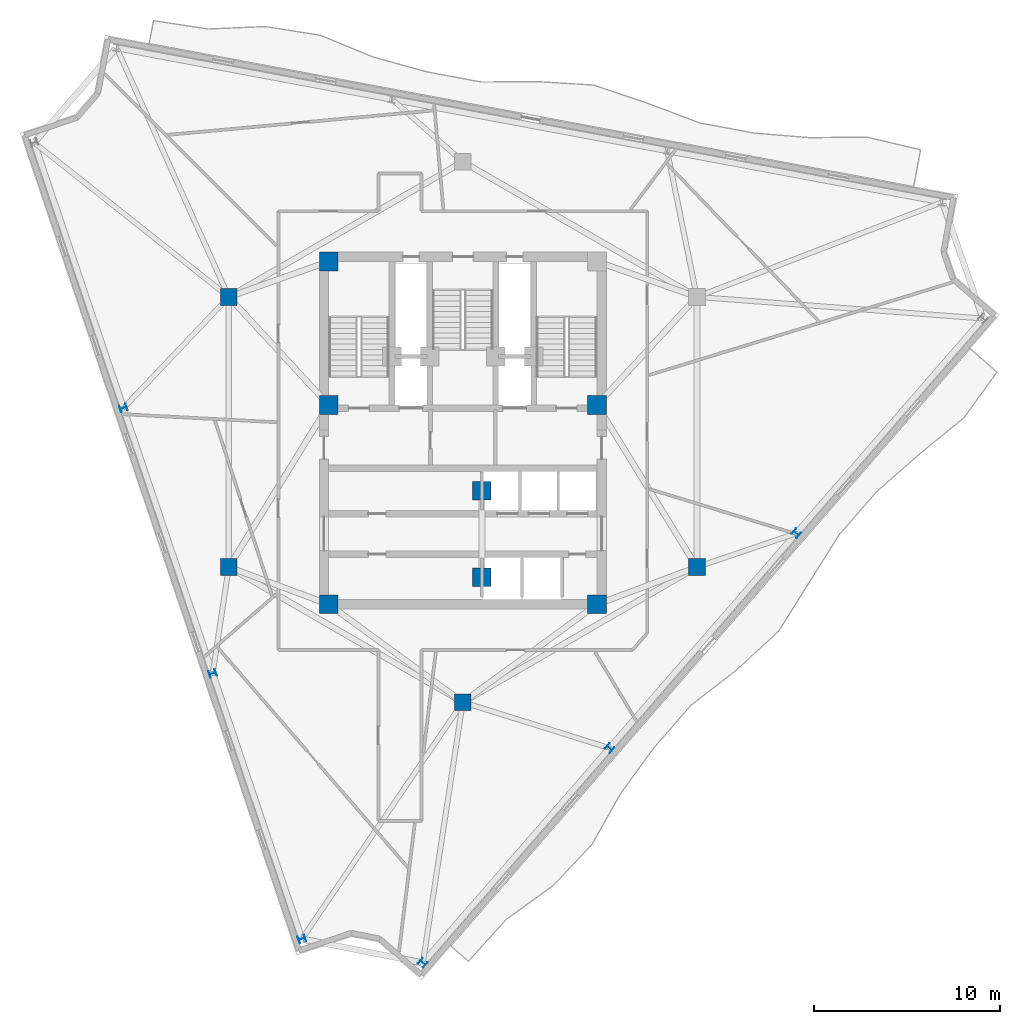
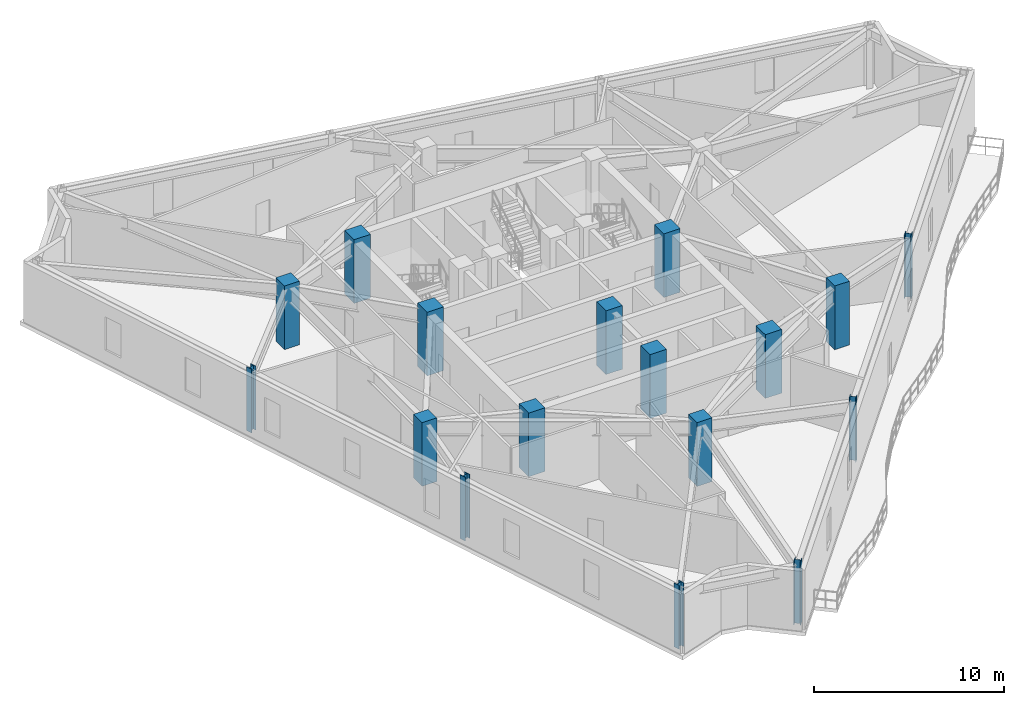
# One storey, part 1 of 10: 17 columns.
"""IFC4 building model written with IfcOpenShell, lengths in metres."""

from ifc_helpers import new_model, si_unit, direction, frame, origin, origin_2d, place, context, subcontext, project, spatial, rectangle, i_section, extrude, material, material_profile, profile_set, type_object, element, save


model = new_model("IFC4")

# Units and contexts
model_context = context("Model", 3, precision=1e-05, world=origin(), true_north=direction((0.0, 1.0)))
body_context = subcontext(model_context, "Body", "Model", "MODEL_VIEW")
ifc_project = project(units=[si_unit("LENGTHUNIT", "METRE"), si_unit("AREAUNIT", "SQUARE_METRE"), si_unit("VOLUMEUNIT", "CUBIC_METRE"), si_unit("PLANEANGLEUNIT", "RADIAN"), si_unit("MASSUNIT", "GRAM", prefix="KILO")], contexts=[model_context])

# Site, building, storey
site_placement = place(None, origin())
site = spatial("IfcSite", under=ifc_project, at=site_placement, CompositionType="ELEMENT")
building_placement = place(site_placement, origin())
building = spatial("IfcBuilding", under=site, at=building_placement, Name="Apsidion Concourse Tower", CompositionType="ELEMENT")
storey_placement = place(building_placement, frame((0.0, 0.0, 286.0)))
storey = spatial("IfcBuildingStorey", under=building, at=storey_placement, Name="L67", CompositionType="ELEMENT", Elevation=286.0)

# Columns
ifc_material_1 = material(Name="Concrete C50/60", Category="concrete")
ifc_material_profile_1 = material_profile(ifc_material_1, rectangle(XDim=1.0, YDim=1.0, at=origin_2d()), Name="RC 1000x1000")
ifc_profile_set_1 = profile_set([ifc_material_profile_1], Name="Concrete C50/60")
column_type_1 = type_object("IfcColumnType", Name="COL-RC-1000", PredefinedType="COLUMN", material=ifc_profile_set_1)
for number, where, z_axis, x_axis, name in (
    (1, (-7.199951171875, -9.25, 0.0), (0.0, 0.0, 1.0), (1.0, 0.0, 0.0), "L67 Core Super-Column SC1"),
    (2, (7.199951171875, -9.25, 0.0), (0.0, 0.0, 1.0), (1.0, 0.0, 0.0), "L67 Core Super-Column SC2"),
    (3, (7.199951171875, 1.449951171875, 0.0), (0.0, 0.0, 1.0), (1.0, 0.0, 0.0), "L67 Core Super-Column SC3"),
    (4, (-7.199951171875, 9.14990234375, 0.0), (0.0, 0.0, 1.0), (1.0, 0.0, 0.0), "L67 Core Super-Column SC5"),
    (5, (-7.199951171875, 1.449951171875, 0.0), (0.0, 0.0, 1.0), (1.0, 0.0, 0.0), "L67 Core Super-Column SC6"),
    (6, (1.02490234375, -3.14990234375, 0.0), (0.0, 0.0, 1.0), (1.0, 0.0, 0.0), "L67 Core Super-Column CC5"),
    (7, (1.02490234375, -7.800048828125, 0.0), (0.0, 0.0, 1.0), (1.0, 0.0, 0.0), "L67 Core Super-Column CC6"),
):
    element("IfcColumn", number, at=place(storey_placement, frame(where, z_axis=z_axis, x_axis=x_axis)), inside=storey, type_object=column_type_1, Name=name, PredefinedType="COLUMN", context=body_context, shape_type="SweptSolid", body=[
        extrude(rectangle(XDim=1.0, YDim=1.0, at=origin_2d()), origin(), (0.0, 0.0, 1.0), 4.10009765625),
    ])
ifc_material_profile_2 = material_profile(ifc_material_1, rectangle(XDim=0.89990234375, YDim=0.89990234375, at=origin_2d()), Name="RC 900x900")
ifc_profile_set_2 = profile_set([ifc_material_profile_2], Name="Concrete C50/60")
column_type_2 = type_object("IfcColumnType", Name="COL-RC-900", PredefinedType="COLUMN", material=ifc_profile_set_2)
for number, where, z_axis, x_axis, name in (
    (8, (-12.56005859375, -7.25, 0.0), (0.0, 0.0, 1.0), (1.0, 0.0, 0.0), "L67 Interior Spine Column IC1"),
    (9, (12.56005859375, -7.25, 0.0), (0.0, 0.0, 1.0), (1.0, 0.0, 0.0), "L67 Interior Spine Column IC2"),
    (10, (-12.56005859375, 7.25, 0.0), (0.0, 0.0, 1.0), (1.0, 0.0, 0.0), "L67 Interior Spine Column IC5"),
    (11, (0.0, -14.5, 0.0), (0.0, 0.0, 1.0), (1.0, 0.0, 0.0), "L67 Interior Spine Column IC6"),
):
    element("IfcColumn", number, at=place(storey_placement, frame(where, z_axis=z_axis, x_axis=x_axis)), inside=storey, type_object=column_type_2, Name=name, PredefinedType="COLUMN", context=body_context, shape_type="SweptSolid", body=[
        extrude(rectangle(XDim=0.89990234375, YDim=0.89990234375, at=origin_2d()), origin(), (0.0, 0.0, 1.0), 4.10009765625),
    ])
ifc_material_2 = material(Name="Structural steel ASTM A992 Grade 50", Category="steel")
ifc_material_profile_3 = material_profile(ifc_material_2, i_section(OverallWidth=0.373046875, OverallDepth=0.373046875, WebThickness=0.016357421875, FlangeThickness=0.026123046875, at=origin_2d()), Name="W14X132")
ifc_profile_set_3 = profile_set([ifc_material_profile_3], Name="Structural steel ASTM A992 Grade 50")
column_type_3 = type_object("IfcColumnType", Name="COL-W14-132", PredefinedType="COLUMN", material=ifc_profile_set_3)
for number, where, z_axis, x_axis, name in (
    (12, (-18.215087890625, 1.285888671875, 0.0), (0.0, 0.0, 1.0), (-0.318628456287, 0.947879690069, 0.0), "L67 Rotated Perimeter Column PC02"),
    (13, (-13.42578125, -12.959228515625, 0.0), (0.0, 0.0, 1.0), (-0.318628456287, 0.947879690069, 0.0), "L67 Rotated Perimeter Column PC03"),
    (14, (-8.636474609375, -27.20458984375, 0.0), (0.0, 0.0, 1.0), (-0.318628456287, 0.947879690069, 0.0), "L67 Rotated Perimeter Column PC04"),
    (15, (-2.146728515625, -28.490478515625, 0.0), (0.0, 0.0, 1.0), (0.656059028991, 0.754709580223, 0.0), "L67 Rotated Perimeter Column PC05"),
    (16, (7.87353515625, -16.96337890625, 0.0), (0.0, 0.0, 1.0), (0.656059028991, 0.754709580223, 0.0), "L67 Rotated Perimeter Column PC06"),
    (17, (17.89404296875, -5.436279296875, 0.0), (0.0, 0.0, 1.0), (0.656059028991, 0.754709580223, 0.0), "L67 Rotated Perimeter Column PC07"),
):
    element("IfcColumn", number, at=place(storey_placement, frame(where, z_axis=z_axis, x_axis=x_axis)), inside=storey, type_object=column_type_3, Name=name, PredefinedType="COLUMN", context=body_context, shape_type="SweptSolid", body=[
        extrude(i_section(OverallWidth=0.373046875, OverallDepth=0.373046875, WebThickness=0.016357421875, FlangeThickness=0.026123046875, at=origin_2d()), origin(), (0.0, 0.0, 1.0), 4.10009765625),
    ])

save(model, "model.ifc")
